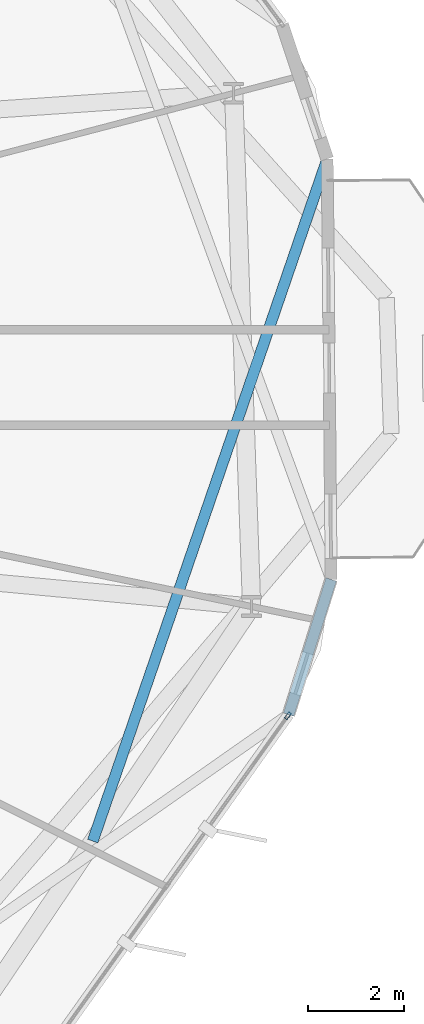
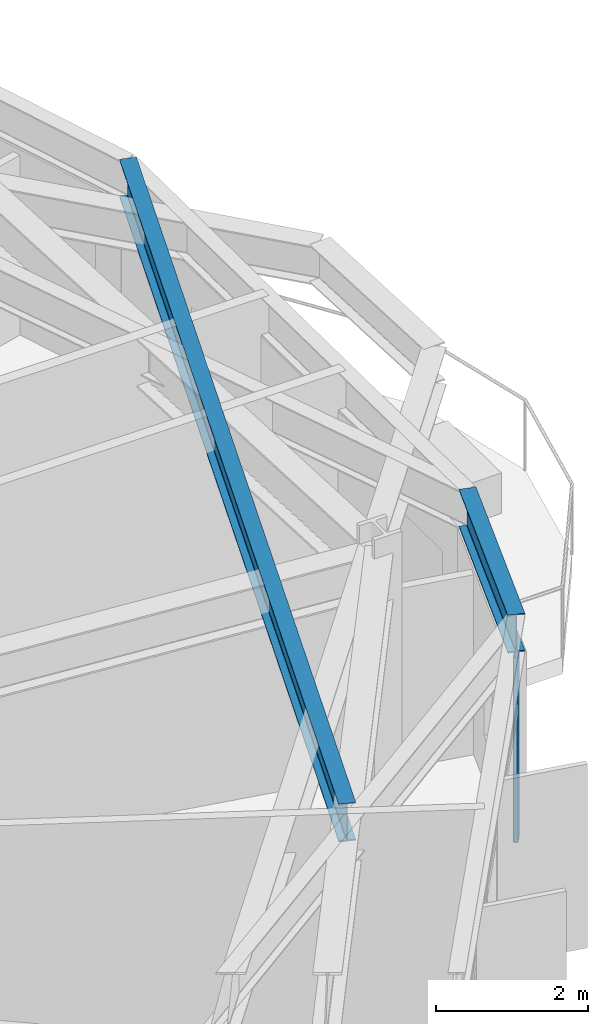
# One storey, part 14 of 27: 2 beams, 1 member, 1 element without a shape of its own.
"""IFC4 building model written with IfcOpenShell, lengths in metres."""

from ifc_helpers import new_model, si_unit, direction, frame, origin, origin_2d, place, context, subcontext, project, spatial, hollow_rectangle, i_section, extrude, material, layer, layer_set, material_profile, profile_set, type_object, element, aggregate, save


model = new_model("IFC4")

# Units and contexts
model_context = context("Model", 3, precision=1e-05, world=origin(), true_north=direction((0.0, 1.0)))
body_context = subcontext(model_context, "Body", "Model", "MODEL_VIEW")
ifc_project = project(units=[si_unit("LENGTHUNIT", "METRE"), si_unit("AREAUNIT", "SQUARE_METRE"), si_unit("VOLUMEUNIT", "CUBIC_METRE"), si_unit("PLANEANGLEUNIT", "RADIAN"), si_unit("MASSUNIT", "GRAM", prefix="KILO")], contexts=[model_context])

# Site, building, storey
site_placement = place(None, origin())
site = spatial("IfcSite", under=ifc_project, at=site_placement, CompositionType="ELEMENT")
building_placement = place(site_placement, origin())
building = spatial("IfcBuilding", under=site, at=building_placement, Name="Soratama Intermodal Tower", CompositionType="ELEMENT")
storey_placement = place(building_placement, frame((0.0, 0.0, 103.0)))
storey = spatial("IfcBuildingStorey", under=building, at=storey_placement, Name="L24", CompositionType="ELEMENT", Elevation=103.0)

# Beams
ifc_material_1 = material(Name="Structural steel ASTM A992 Grade 50", Category="steel")
ifc_material_profile_1 = material_profile(ifc_material_1, i_section(OverallWidth=0.22900390625, OverallDepth=0.612060546875, WebThickness=0.011962890625, FlangeThickness=0.01953125, FilletRadius=0.012939453125, at=origin_2d()), Name="W24X84")
ifc_profile_set_1 = profile_set([ifc_material_profile_1], Name="Structural steel ASTM A992 Grade 50")
beam_type_1 = type_object("IfcBeamType", Name="BM-SPN-W24X84", PredefinedType="SPANDREL", material=ifc_profile_set_1)
beam_1_placement = place(storey_placement, frame((62.501953125, 17.93994140625, 3.2939453125), z_axis=(0.300335784232, 0.953833537212, 0.0), x_axis=(-0.953833537212, 0.300335784232, 0.0)))
element("IfcBeam", 1, at=beam_1_placement, inside=storey, type_object=beam_type_1, Name="BS-L24-CRN09", PredefinedType="SPANDREL", context=body_context, shape_type="SweptSolid", body=[
    extrude(i_section(OverallWidth=0.22900390625, OverallDepth=0.612060546875, WebThickness=0.011962890625, FlangeThickness=0.01953125, FilletRadius=0.012939453125, at=origin_2d()), origin(), (0.0, 0.0, 1.0), 2.967041015625),
])
ifc_material_2 = material(Name="Structural steel ASTM A992 Grade 50", Category="steel")
ifc_material_profile_2 = material_profile(ifc_material_2, i_section(OverallWidth=0.22900390625, OverallDepth=0.612060546875, WebThickness=0.011962890625, FlangeThickness=0.01953125, FilletRadius=0.012939453125, at=origin_2d()), Name="W24X84")
ifc_profile_set_2 = profile_set([ifc_material_profile_2], Name="Structural steel ASTM A992 Grade 50")
beam_type_2 = type_object("IfcBeamType", Name="BM-TIE-W24X84", PredefinedType="BEAM", material=ifc_profile_set_2)
beam_2_placement = place(storey_placement, frame((58.39990234375, 15.2919921875, 3.2939453125), z_axis=(0.325082930652, 0.945685512313, 0.0), x_axis=(-0.945685512313, 0.325082930652, 0.0)))
element("IfcBeam", 2, at=beam_2_placement, inside=storey, type_object=beam_type_2, Name="BM-L24-TIE1-10", PredefinedType="BEAM", context=body_context, shape_type="SweptSolid", body=[
    extrude(i_section(OverallWidth=0.22900390625, OverallDepth=0.612060546875, WebThickness=0.011962890625, FlangeThickness=0.01953125, FilletRadius=0.012939453125, at=origin_2d()), origin(), (0.0, 0.0, 1.0), 15.104248046875),
])

# Curtain wall, member
ifc_material_3 = material(Name="Double-glazed aluminium curtain wall", Category="aluminium")
ifc_layer = layer(ifc_material_3, 0.159912109375)
ifc_layer_set = layer_set([ifc_layer], Name="Double-glazed aluminium curtain wall")
curtain_wall_type = type_object("IfcCurtainWallType", Name="CW-SYS-3", PredefinedType="NOTDEFINED", material=ifc_layer_set)
curtain_wall_placement = place(storey_placement, origin())
curtain_wall = element("IfcCurtainWall", 3, at=curtain_wall_placement, inside=storey, type_object=curtain_wall_type, Name="L24 Faceted Curtain Wall F09", PredefinedType="NOTDEFINED")
ifc_material_4 = material(Name="Anodised aluminium AA 6063-T6", Category="aluminium")
ifc_material_profile_3 = material_profile(ifc_material_4, hollow_rectangle(XDim=0.070068359375, YDim=0.159912109375, WallThickness=0.0048828125, InnerFilletRadius=0.0048828125, OuterFilletRadius=0.010009765625, at=origin_2d()), Name="CWM160X70X5")
ifc_profile_set_3 = profile_set([ifc_material_profile_3], Name="Anodised aluminium AA 6063-T6")
member_type = type_object("IfcMemberType", Name="MT-CWM-3", PredefinedType="MULLION", material=ifc_profile_set_3)
member_placement = place(storey_placement, frame((62.485107421875, 17.91552734375, 0.0), z_axis=(0.0, 0.0, 1.0), x_axis=(-0.814519150028, 0.580136668585, 0.0)))
member = element("IfcMember", 4, at=member_placement, type_object=member_type, Name="CW-3 mullion 3", PredefinedType="MULLION", context=body_context, shape_type="SweptSolid", body=[
    extrude(hollow_rectangle(XDim=0.070068359375, YDim=0.159912109375, WallThickness=0.0048828125, InnerFilletRadius=0.0048828125, OuterFilletRadius=0.010009765625, at=origin_2d()), origin(), (0.0, 0.0, 1.0), 2.97900390625),
])
aggregate(curtain_wall, [member])

save(model, "model.ifc")
